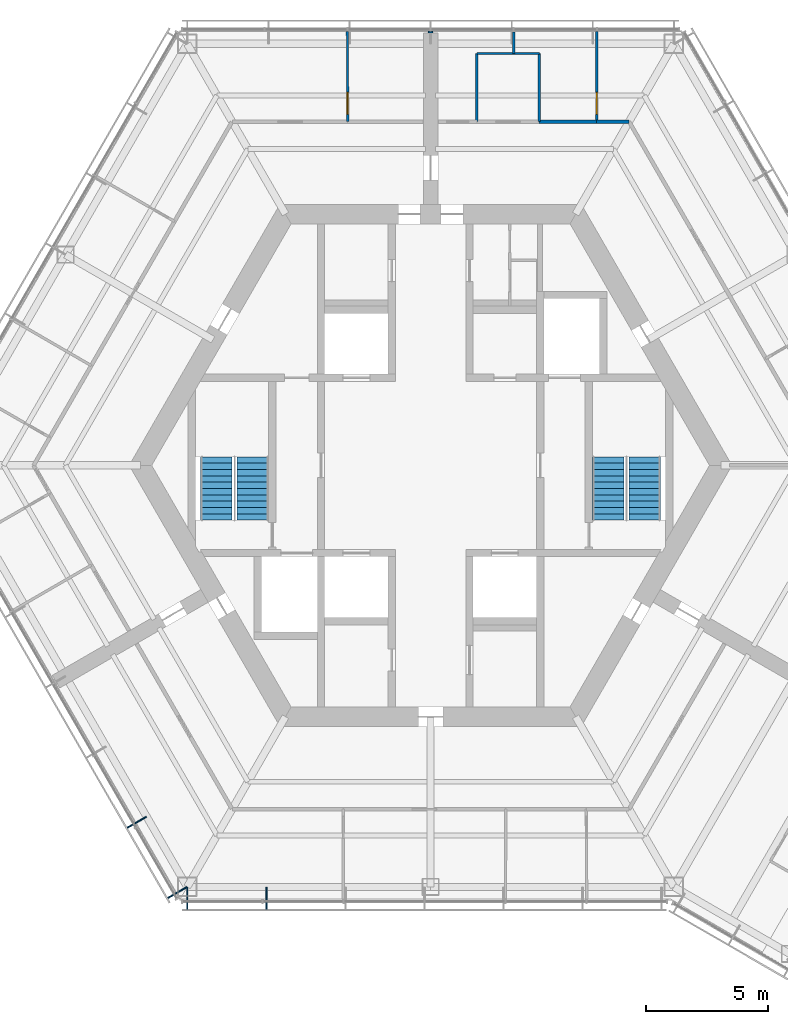
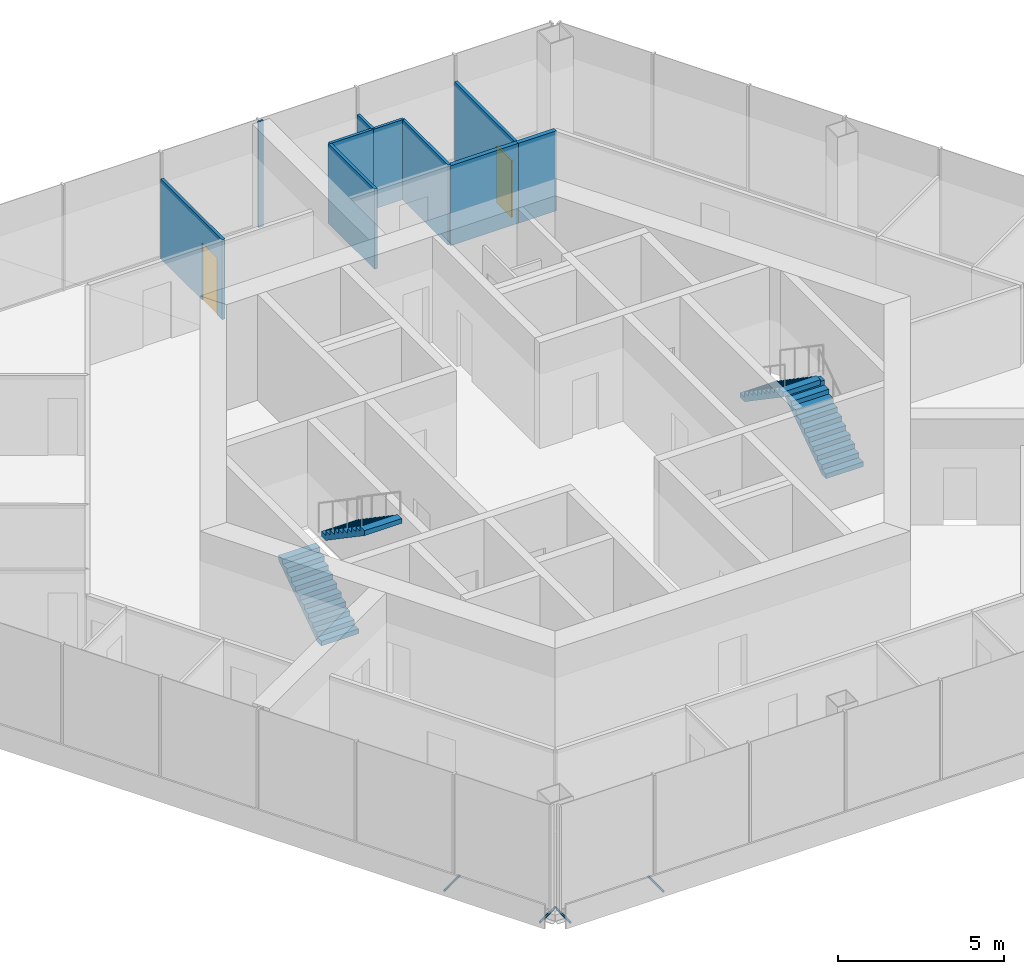
# One storey, part 10 of 13: 10 walls, 4 discrete accessories, 4 stair flights, 2 doors, 2 openings, 2 elements without a shape of their own.
"""IFC4 building model written with IfcOpenShell, lengths in metres."""

from ifc_helpers import new_model, si_unit, direction, frame, frame_2d, origin, origin_2d, place, context, subcontext, project, spatial, polyline, rectangle, hollow_circle, outline, extrude, material, layer, layer_set, material_profile, profile_set, type_object, element, fill, aggregate, save


model = new_model("IFC4")

# Units and contexts
model_context = context("Model", 3, precision=1e-05, world=origin(), true_north=direction((0.0, 1.0)))
body_context = subcontext(model_context, "Body", "Model", "MODEL_VIEW")
ifc_project = project(units=[si_unit("LENGTHUNIT", "METRE"), si_unit("AREAUNIT", "SQUARE_METRE"), si_unit("VOLUMEUNIT", "CUBIC_METRE"), si_unit("PLANEANGLEUNIT", "RADIAN"), si_unit("MASSUNIT", "GRAM", prefix="KILO")], contexts=[model_context])

# Site, building, storey
site_placement = place(None, origin())
site = spatial("IfcSite", under=ifc_project, at=site_placement, CompositionType="ELEMENT")
building_placement = place(site_placement, origin())
building = spatial("IfcBuilding", under=site, at=building_placement, Name="Kasaneha Research Tower", CompositionType="ELEMENT")
storey_placement = place(building_placement, frame((0.0, 0.0, 286.89990234375)))
storey = spatial("IfcBuildingStorey", under=building, at=storey_placement, Name="L72", CompositionType="ELEMENT", Elevation=286.89990234375)

# Walls
ifc_material_1 = material(Name="Gypsum board on steel studs, one layer each side", Category="steel")
ifc_layer_1 = layer(ifc_material_1, 0.10009765625)
ifc_layer_set_1 = layer_set([ifc_layer_1], Name="Office partition 100")
wall_type_1 = type_object("IfcWallType", Name="Office partition 100", PredefinedType="PARTITIONING", material=ifc_layer_set_1)
wall_1_placement = place(storey_placement, frame((3.410400390625, 16.925048828125, 0.0), z_axis=(0.0, 0.0, 1.0), x_axis=(1.0, 0.0, 0.0)))
element("IfcWall", 1, at=wall_1_placement, inside=storey, type_object=wall_type_1, Name="Office partition FAE08 L72", PredefinedType="PARTITIONING", context=body_context, shape_type="SweptSolid", body=[
    extrude(rectangle(XDim=1.0546875, YDim=0.10009765625, at=frame_2d((0.52734375, 0.0))), origin(), (0.0, 0.0, 1.0), 2.9501953125),
])
wall_2_placement = place(storey_placement, frame((4.465087890625, 16.925048828125, 0.0), z_axis=(0.0, 0.0, 1.0), x_axis=(-0.001831019688, -0.999998323682, 0.0)))
element("IfcWall", 2, at=wall_2_placement, inside=storey, type_object=wall_type_1, Name="Office partition FAE09 L72", PredefinedType="PARTITIONING", context=body_context, shape_type="SweptSolid", body=[
    extrude(rectangle(XDim=2.800048828125, YDim=0.10009765625, at=frame_2d((1.39990234375, 0.0))), origin(), (0.0, 0.0, 1.0), 2.9501953125),
])
wall_3_placement = place(storey_placement, frame((1.89990234375, 16.925048828125, 0.0), z_axis=(0.0, 0.0, 1.0), x_axis=(1.0, 0.0, 0.0)))
element("IfcWall", 3, at=wall_3_placement, inside=storey, type_object=wall_type_1, Name="Office partition FAE10 L72", PredefinedType="PARTITIONING", context=body_context, shape_type="SweptSolid", body=[
    extrude(rectangle(XDim=1.5205078125, YDim=0.10009765625, at=frame_2d((0.76025390625, 0.0))), origin(), (0.0, 0.0, 1.0), 2.9501953125),
])
wall_4_placement = place(storey_placement, frame((1.905029296875, 14.125, 0.0), z_axis=(0.0, 0.0, 1.0), x_axis=(-0.001831019688, 0.999998323682, 0.0)))
element("IfcWall", 4, at=wall_4_placement, inside=storey, type_object=wall_type_1, Name="Office partition FAE11 L72", PredefinedType="PARTITIONING", context=body_context, shape_type="SweptSolid", body=[
    extrude(rectangle(XDim=2.800048828125, YDim=0.10009765625, at=frame_2d((1.39990234375, 0.0))), origin(), (0.0, 0.0, 1.0), 2.9501953125),
])
wall_5_placement = place(storey_placement, frame((3.42041015625, 16.925048828125, 0.0), z_axis=(0.0, 0.0, 1.0), x_axis=(-0.005577158101, 0.999984447533, 0.0)))
element("IfcWall", 5, at=wall_5_placement, inside=storey, type_object=wall_type_1, Name="Office partition FAE14 L72", PredefinedType="PARTITIONING", context=body_context, shape_type="SweptSolid", body=[
    extrude(rectangle(XDim=0.87548828125, YDim=0.10009765625, at=frame_2d((0.437744140625, 0.0))), origin(), (0.0, 0.0, 1.0), 2.9501953125),
])

# Wall, opening, door
wall_6_placement = place(storey_placement, frame((6.8310546875, 17.83544921875, 0.0), z_axis=(0.0, 0.0, 1.0), x_axis=(-0.001250163518, -0.999999218545, 0.0)))
wall_6 = element("IfcWall", 6, at=wall_6_placement, inside=storey, type_object=wall_type_1, Name="Office partition FAE15 L72", PredefinedType="PARTITIONING", context=body_context, shape_type="SweptSolid", body=[
    extrude(rectangle(XDim=3.71044921875, YDim=0.10009765625, at=frame_2d((1.855224609375, 0.0))), origin(), (0.0, 0.0, 1.0), 2.9501953125),
])
opening_1_placement = place(wall_6_placement, frame((2.510498046875, 0.0, 0.0)))
opening_1 = element("IfcOpeningElement", 7, at=opening_1_placement, cuts=wall_6, Name="Opening L72-D28", PredefinedType="OPENING", context=body_context, shape_type="SweptSolid", body=[
    extrude(rectangle(XDim=0.89990234375, YDim=2.10009765625, at=frame_2d((0.449951171875, 1.050048828125))), frame((0.0, 0.06005859375, 0.0), z_axis=(0.0, -1.0, 0.0), x_axis=(1.0, 0.0, 0.0)), (0.0, 0.0, 1.0), 0.1201171875),
])
ifc_material_2 = material(Name="Timber veneer", Category="wood")
door_type = type_object("IfcDoorType", Name="Office door 900x2100", OperationType="SINGLE_SWING_LEFT", PredefinedType="DOOR", material=ifc_material_2)
door_1_placement = place(opening_1_placement, origin())
door_1 = element("IfcDoor", 8, at=door_1_placement, inside=storey, type_object=door_type, Name="Executive office door L72-D28", OperationType="SINGLE_SWING_RIGHT", OverallHeight=2.10009765625, OverallWidth=0.89990234375, PredefinedType="DOOR", context=body_context, shape_type="SweptSolid", body=[
    extrude(rectangle(XDim=0.89990234375, YDim=2.10009765625, at=frame_2d((0.449951171875, 1.050048828125))), frame((0.0, 0.02490234375, 0.0), z_axis=(0.0, -1.0, 0.0), x_axis=(1.0, 0.0, 0.0)), (0.0, 0.0, 1.0), 0.050048828125),
])
fill(opening_1, door_1)

wall_7_placement = place(storey_placement, frame((-3.410888671875, 14.125, 0.0), z_axis=(0.0, 0.0, 1.0), x_axis=(-0.001250163518, 0.999999218545, 0.0)))
wall_7 = element("IfcWall", 9, at=wall_7_placement, inside=storey, type_object=wall_type_1, Name="Office partition FAW03 L72", PredefinedType="PARTITIONING", context=body_context, shape_type="SweptSolid", body=[
    extrude(rectangle(XDim=3.71044921875, YDim=0.10009765625, at=frame_2d((1.855224609375, 0.0))), origin(), (0.0, 0.0, 1.0), 2.9501953125),
])
opening_2_placement = place(wall_7_placement, frame((0.300048828125, 0.0, 0.0)))
opening_2 = element("IfcOpeningElement", 10, at=opening_2_placement, cuts=wall_7, Name="Opening L72-D30", PredefinedType="OPENING", context=body_context, shape_type="SweptSolid", body=[
    extrude(rectangle(XDim=0.89990234375, YDim=2.10009765625, at=frame_2d((0.449951171875, 1.050048828125))), frame((0.0, 0.06005859375, 0.0), z_axis=(0.0, -1.0, 0.0), x_axis=(1.0, 0.0, 0.0)), (0.0, 0.0, 1.0), 0.1201171875),
])
door_2_placement = place(opening_2_placement, origin())
door_2 = element("IfcDoor", 11, at=door_2_placement, inside=storey, type_object=door_type, Name="Executive office door L72-D30", OperationType="SINGLE_SWING_LEFT", OverallHeight=2.10009765625, OverallWidth=0.89990234375, PredefinedType="DOOR", context=body_context, shape_type="SweptSolid", body=[
    extrude(rectangle(XDim=0.89990234375, YDim=2.10009765625, at=frame_2d((0.449951171875, 1.050048828125))), frame((0.0, 0.02490234375, 0.0), z_axis=(0.0, -1.0, 0.0), x_axis=(1.0, 0.0, 0.0)), (0.0, 0.0, 1.0), 0.050048828125),
])
fill(opening_2, door_2)

# Walls
ifc_material_3 = material(Name="Gypsum board on steel studs, two layers each side", Category="steel")
ifc_layer_2 = layer(ifc_material_3, 0.14990234375)
ifc_layer_set_2 = layer_set([ifc_layer_2], Name="Suite partition 150")
wall_type_2 = type_object("IfcWallType", Name="Suite partition 150", PredefinedType="PARTITIONING", material=ifc_layer_set_2)
wall_8_placement = place(storey_placement, frame((4.4599609375, 14.125, 0.0), z_axis=(0.0, 0.0, 1.0), x_axis=(1.0, 0.0, 0.0)))
element("IfcWall", 12, at=wall_8_placement, inside=storey, type_object=wall_type_2, Name="Suite partition FAE03 L72", PredefinedType="PARTITIONING", context=body_context, shape_type="SweptSolid", body=[
    extrude(rectangle(XDim=2.3759765625, YDim=0.14990234375, at=frame_2d((1.18798828125, 0.0))), origin(), (0.0, 0.0, 1.0), 2.9501953125),
])
wall_9_placement = place(storey_placement, frame((6.826416015625, 14.125, 0.0), z_axis=(0.0, 0.0, 1.0), x_axis=(1.0, 0.0, 0.0)))
element("IfcWall", 13, at=wall_9_placement, inside=storey, type_object=wall_type_2, Name="Suite partition FAE06 L72", PredefinedType="PARTITIONING", context=body_context, shape_type="SweptSolid", body=[
    extrude(rectangle(XDim=1.32861328125, YDim=0.14990234375, at=frame_2d((0.664306640625, 0.0))), origin(), (0.0, 0.0, 1.0), 2.9501953125),
])
ifc_material_4 = material(Name="Gypsum board on steel studs, two layers each side", Category="steel")
ifc_layer_3 = layer(ifc_material_4, 0.175048828125)
ifc_layer_set_3 = layer_set([ifc_layer_3], Name="Tenancy fire partition 175")
wall_type_3 = type_object("IfcWallType", Name="Tenancy fire partition 175", PredefinedType="PARTITIONING", material=ifc_layer_set_3)
wall_10_placement = place(storey_placement, frame((0.0, 17.7705078125, 0.0), z_axis=(0.0, 0.0, 1.0), x_axis=(0.0, 1.0, 0.0)))
element("IfcWall", 14, at=wall_10_placement, inside=storey, type_object=wall_type_3, Name="Spine wall closer SW4-600 L72", PredefinedType="PARTITIONING", context=body_context, shape_type="SweptSolid", body=[
    extrude(rectangle(XDim=0.06494140625, YDim=0.175048828125, at=frame_2d((0.032470703125, 0.0))), origin(), (0.0, 0.0, 1.0), 3.900146484375),
])

# Stair, stair flights
ifc_material_5 = material(Name="Concrete Fc24", Category="concrete")
stair_type = type_object("IfcStairType", Name="Half-turn stair 22 risers", PredefinedType="HALF_TURN_STAIR", material=ifc_material_5)
stair_1_placement = place(storey_placement, origin())
stair_1 = element("IfcStair", 15, at=stair_1_placement, inside=storey, type_object=stair_type, Name="Stair 1 L72", PredefinedType="HALF_TURN_STAIR")
ifc_material_6 = material(Name="Concrete Fc24", Category="concrete")
stair_flight_type = type_object("IfcStairFlightType", Name="Stair flight 11 risers 177.3", PredefinedType="STRAIGHT", material=ifc_material_6)
stair_flight_1_placement = place(storey_placement, frame((8.800048828125, -2.25, 0.0), z_axis=(0.0, 0.0, 1.0), x_axis=(0.0, 1.0, 0.0)))
stair_flight_1 = element("IfcStairFlight", 16, at=stair_flight_1_placement, type_object=stair_flight_type, Name="ST1-22R flight 1", NumberOfRisers=11, NumberOfTreads=10, PredefinedType="STRAIGHT", RiserHeight=0.177272727, TreadLength=0.26, context=body_context, shape_type="SweptSolid", body=[
    extrude(outline(polyline([(0.0, 0.0), (0.0, 0.17724609375), (0.260009765625, 0.17724609375), (0.260009765625, 0.3544921875), (0.52001953125, 0.3544921875), (0.52001953125, 0.53173828125), (0.780029296875, 0.53173828125), (0.780029296875, 0.708984375), (1.0400390625, 0.708984375), (1.0400390625, 0.886474609375), (1.300048828125, 0.886474609375), (1.300048828125, 1.063720703125), (1.56005859375, 1.063720703125), (1.56005859375, 1.240966796875), (1.820068359375, 1.240966796875), (1.820068359375, 1.418212890625), (2.080078125, 1.418212890625), (2.080078125, 1.595458984375), (2.340087890625, 1.595458984375), (2.340087890625, 1.772705078125), (2.60009765625, 1.772705078125), (2.60009765625, 1.949951171875), (2.60009765625, 1.59130859375), (0.26611328125, 0.0), (0.0, 0.0)])), frame((0.0, 0.64990234375, 0.0), z_axis=(0.0, -1.0, 0.0), x_axis=(1.0, 0.0, 0.0)), (0.0, 0.0, 1.0), 1.300048828125),
])
stair_flight_2_placement = place(storey_placement, frame((7.300048828125, 0.35009765625, 1.9501953125), z_axis=(0.0, 0.0, 1.0), x_axis=(0.0, -1.0, 0.0)))
stair_flight_2 = element("IfcStairFlight", 17, at=stair_flight_2_placement, type_object=stair_flight_type, Name="ST1-22R flight 2", NumberOfRisers=11, NumberOfTreads=10, PredefinedType="STRAIGHT", RiserHeight=0.177272727, TreadLength=0.26, context=body_context, shape_type="SweptSolid", body=[
    extrude(outline(polyline([(0.0, 0.0), (0.0, 0.17724609375), (0.260009765625, 0.17724609375), (0.260009765625, 0.3544921875), (0.52001953125, 0.3544921875), (0.52001953125, 0.53173828125), (0.780029296875, 0.53173828125), (0.780029296875, 0.708984375), (1.0400390625, 0.708984375), (1.0400390625, 0.886474609375), (1.300048828125, 0.886474609375), (1.300048828125, 1.063720703125), (1.56005859375, 1.063720703125), (1.56005859375, 1.240966796875), (1.820068359375, 1.240966796875), (1.820068359375, 1.418212890625), (2.080078125, 1.418212890625), (2.080078125, 1.595458984375), (2.340087890625, 1.595458984375), (2.340087890625, 1.772705078125), (2.60009765625, 1.772705078125), (2.60009765625, 1.949951171875), (2.60009765625, 1.59130859375), (0.26611328125, 0.0), (0.0, 0.0)])), frame((0.0, 0.64990234375, 0.0), z_axis=(0.0, -1.0, 0.0), x_axis=(1.0, 0.0, 0.0)), (0.0, 0.0, 1.0), 1.300048828125),
])
aggregate(stair_1, [stair_flight_1, stair_flight_2])

stair_2_placement = place(storey_placement, origin())
stair_2 = element("IfcStair", 18, at=stair_2_placement, inside=storey, type_object=stair_type, Name="Stair 2 L72", PredefinedType="HALF_TURN_STAIR")
stair_flight_3_placement = place(storey_placement, frame((-8.800048828125, -2.25, 0.0), z_axis=(0.0, 0.0, 1.0), x_axis=(0.0, 1.0, 0.0)))
stair_flight_3 = element("IfcStairFlight", 19, at=stair_flight_3_placement, type_object=stair_flight_type, Name="ST2-22R flight 1", NumberOfRisers=11, NumberOfTreads=10, PredefinedType="STRAIGHT", RiserHeight=0.177272727, TreadLength=0.26, context=body_context, shape_type="SweptSolid", body=[
    extrude(outline(polyline([(0.0, 0.0), (0.0, 0.17724609375), (0.260009765625, 0.17724609375), (0.260009765625, 0.3544921875), (0.52001953125, 0.3544921875), (0.52001953125, 0.53173828125), (0.780029296875, 0.53173828125), (0.780029296875, 0.708984375), (1.0400390625, 0.708984375), (1.0400390625, 0.886474609375), (1.300048828125, 0.886474609375), (1.300048828125, 1.063720703125), (1.56005859375, 1.063720703125), (1.56005859375, 1.240966796875), (1.820068359375, 1.240966796875), (1.820068359375, 1.418212890625), (2.080078125, 1.418212890625), (2.080078125, 1.595458984375), (2.340087890625, 1.595458984375), (2.340087890625, 1.772705078125), (2.60009765625, 1.772705078125), (2.60009765625, 1.949951171875), (2.60009765625, 1.59130859375), (0.26611328125, 0.0), (0.0, 0.0)])), frame((0.0, 0.64990234375, 0.0), z_axis=(0.0, -1.0, 0.0), x_axis=(1.0, 0.0, 0.0)), (0.0, 0.0, 1.0), 1.300048828125),
])
stair_flight_4_placement = place(storey_placement, frame((-7.300048828125, 0.35009765625, 1.9501953125), z_axis=(0.0, 0.0, 1.0), x_axis=(0.0, -1.0, 0.0)))
stair_flight_4 = element("IfcStairFlight", 20, at=stair_flight_4_placement, type_object=stair_flight_type, Name="ST2-22R flight 2", NumberOfRisers=11, NumberOfTreads=10, PredefinedType="STRAIGHT", RiserHeight=0.177272727, TreadLength=0.26, context=body_context, shape_type="SweptSolid", body=[
    extrude(outline(polyline([(0.0, 0.0), (0.0, 0.17724609375), (0.260009765625, 0.17724609375), (0.260009765625, 0.3544921875), (0.52001953125, 0.3544921875), (0.52001953125, 0.53173828125), (0.780029296875, 0.53173828125), (0.780029296875, 0.708984375), (1.0400390625, 0.708984375), (1.0400390625, 0.886474609375), (1.300048828125, 0.886474609375), (1.300048828125, 1.063720703125), (1.56005859375, 1.063720703125), (1.56005859375, 1.240966796875), (1.820068359375, 1.240966796875), (1.820068359375, 1.418212890625), (2.080078125, 1.418212890625), (2.080078125, 1.595458984375), (2.340087890625, 1.595458984375), (2.340087890625, 1.772705078125), (2.60009765625, 1.772705078125), (2.60009765625, 1.949951171875), (2.60009765625, 1.59130859375), (0.26611328125, 0.0), (0.0, 0.0)])), frame((0.0, 0.64990234375, 0.0), z_axis=(0.0, -1.0, 0.0), x_axis=(1.0, 0.0, 0.0)), (0.0, 0.0, 1.0), 1.300048828125),
])
aggregate(stair_2, [stair_flight_3, stair_flight_4])

# Discrete accessories
ifc_material_7 = material(Name="Steel STK400", Category="steel")
ifc_material_profile = material_profile(ifc_material_7, hollow_circle(Radius=0.0380859375, WallThickness=0.00390625, at=origin_2d()), Name="CHS-76.3x4.0")
ifc_profile_set = profile_set([ifc_material_profile], Name="Steel STK400")
discrete_accessory_type = type_object("IfcDiscreteAccessoryType", Name="Screen bracket CHS-76.3x4.0", PredefinedType="BRACKET", material=ifc_profile_set)
discrete_accessory_1_placement = place(storey_placement, frame((-11.66796875, -14.431640625, -0.2998046875), z_axis=(-0.866013213425, -0.500021113727, 0.0), x_axis=(0.500021113727, -0.866013213425, 0.0)))
element("IfcDiscreteAccessory", 21, at=discrete_accessory_1_placement, inside=storey, type_object=discrete_accessory_type, Name="Screen bracket 6", PredefinedType="BRACKET", context=body_context, shape_type="SweptSolid", body=[
    extrude(hollow_circle(Radius=0.0380859375, WallThickness=0.00390625, at=origin_2d()), origin(), (0.0, 0.0, 1.0), 0.919921875),
])
discrete_accessory_2_placement = place(storey_placement, frame((-10.001708984375, -17.3173828125, -0.2998046875), z_axis=(-0.866079547155, -0.499906209203, 0.0), x_axis=(0.499906209203, -0.866079547155, 0.0)))
element("IfcDiscreteAccessory", 22, at=discrete_accessory_2_placement, inside=storey, type_object=discrete_accessory_type, Name="Screen bracket 7", PredefinedType="BRACKET", context=body_context, shape_type="SweptSolid", body=[
    extrude(hollow_circle(Radius=0.0380859375, WallThickness=0.00390625, at=origin_2d()), origin(), (0.0, 0.0, 1.0), 0.920166015625),
])
for number, where, z_axis, x_axis, name in (
    (23, (-9.996337890625, -17.320556640625, -0.2998046875), (0.0, -1.0, 0.0), (1.0, 0.0, 0.0), "Screen bracket 1"),
    (24, (-6.748779296875, -17.320556640625, -0.2998046875), (0.0, -1.0, 0.0), (1.0, 0.0, 0.0), "Screen bracket 2"),
):
    element("IfcDiscreteAccessory", number, at=place(storey_placement, frame(where, z_axis=z_axis, x_axis=x_axis)), inside=storey, type_object=discrete_accessory_type, Name=name, PredefinedType="BRACKET", context=body_context, shape_type="SweptSolid", body=[
        extrude(hollow_circle(Radius=0.0380859375, WallThickness=0.00390625, at=origin_2d()), origin(), (0.0, 0.0, 1.0), 0.919921875),
    ])

save(model, "model.ifc")
